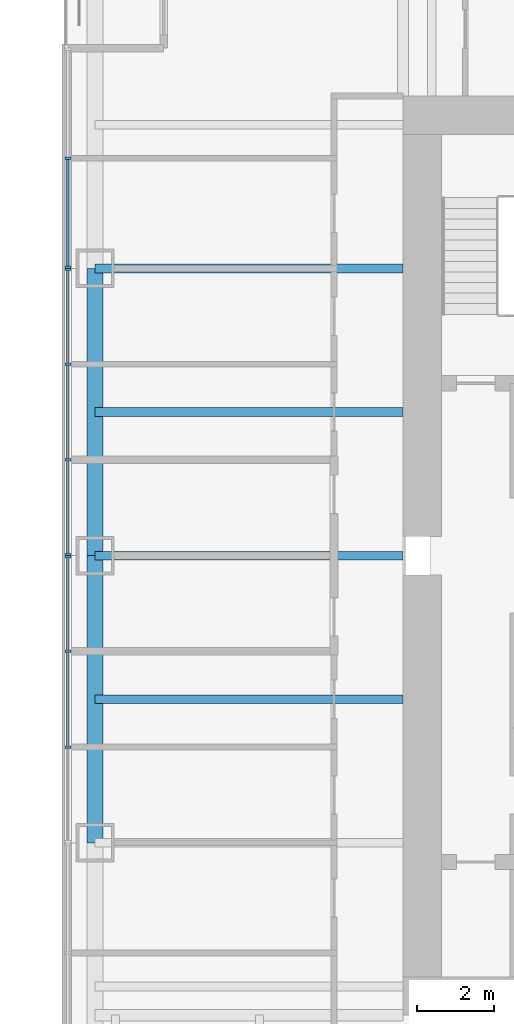
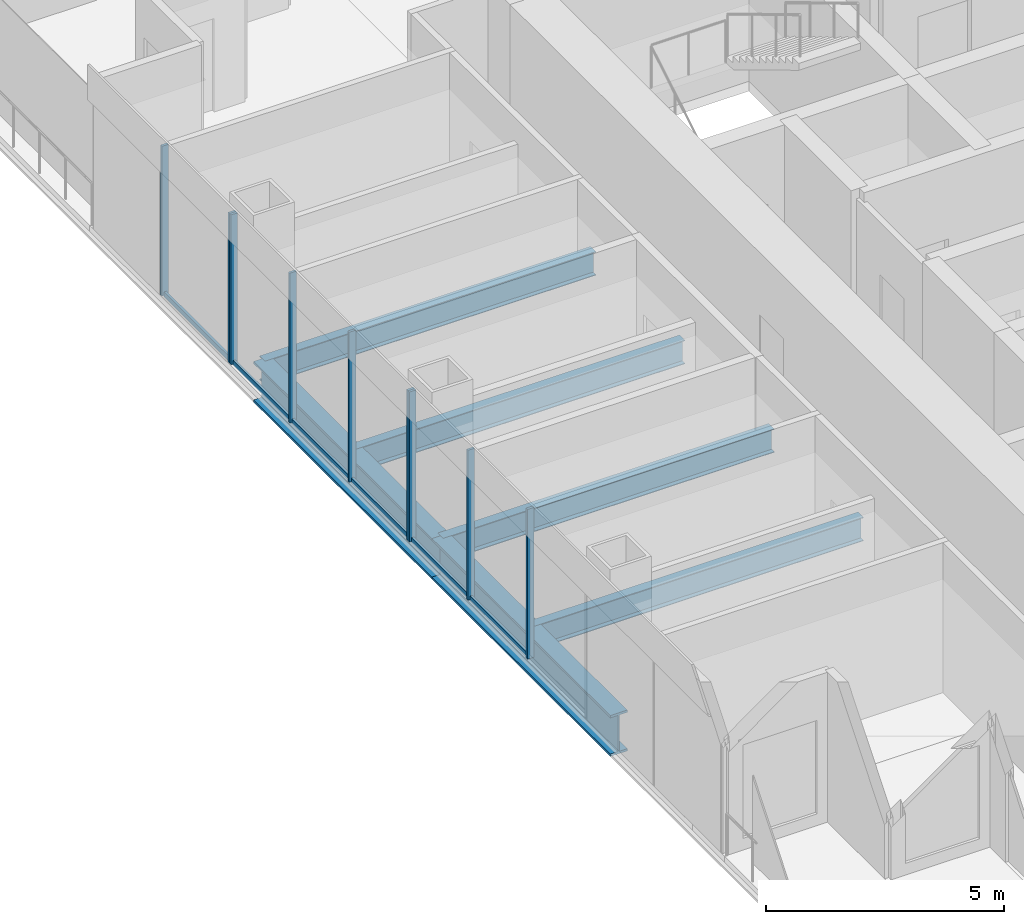
# One storey, part 4 of 14: 15 members, 6 beams, 3 elements without a shape of their own.
"""IFC4 building model written with IfcOpenShell, lengths in metres."""

from ifc_helpers import new_model, si_unit, direction, frame, origin, origin_2d, place, context, subcontext, project, spatial, rectangle, i_section, extrude, material, material_profile, profile_set, type_object, element, aggregate, save


model = new_model("IFC4")

# Units and contexts
model_context = context("Model", 3, precision=1e-05, world=origin(), true_north=direction((0.0, 1.0)))
body_context = subcontext(model_context, "Body", "Model", "MODEL_VIEW")
ifc_project = project(units=[si_unit("LENGTHUNIT", "METRE"), si_unit("AREAUNIT", "SQUARE_METRE"), si_unit("VOLUMEUNIT", "CUBIC_METRE"), si_unit("PLANEANGLEUNIT", "RADIAN"), si_unit("MASSUNIT", "GRAM", prefix="KILO")], contexts=[model_context])

# Site, building, storey
site_placement = place(None, origin())
site = spatial("IfcSite", under=ifc_project, at=site_placement, CompositionType="ELEMENT")
building_placement = place(site_placement, origin())
building = spatial("IfcBuilding", under=site, at=building_placement, Name="Tarangal Relay Tower", CompositionType="ELEMENT")
storey_placement = place(building_placement, frame((0.0, 0.0, 303.89990234375)))
storey = spatial("IfcBuildingStorey", under=building, at=storey_placement, Name="L67", CompositionType="ELEMENT", Elevation=303.89990234375)

# Beams
ifc_material_1 = material(Name="Steel ASTM A992", Category="steel")
ifc_material_profile_1 = material_profile(ifc_material_1, i_section(OverallWidth=0.41162109375, OverallDepth=1.049072265625, WebThickness=0.033935546875, FlangeThickness=0.059814453125, at=origin_2d()), Name="W40X431")
ifc_profile_set_1 = profile_set([ifc_material_profile_1], Name="Steel ASTM A992")
beam_type_1 = type_object("IfcBeamType", Name="Edge girder W40X431", PredefinedType="SPANDREL", material=ifc_profile_set_1)
for number, where, z_axis, x_axis, name in (
    (1, (-20.0400390625, -7.5, -0.67431640625), (0.0, 1.0, 0.0), (-1.0, 0.0, 0.0), "Edge girder EG1 W L67"),
    (2, (-20.0400390625, 0.0, -0.67431640625), (0.0, 1.0, 0.0), (-1.0, 0.0, 0.0), "Edge girder EG1 W L67"),
):
    element("IfcBeam", number, at=place(storey_placement, frame(where, z_axis=z_axis, x_axis=x_axis)), inside=storey, type_object=beam_type_1, Name=name, PredefinedType="SPANDREL", context=body_context, shape_type="SweptSolid", body=[
        extrude(i_section(OverallWidth=0.41162109375, OverallDepth=1.049072265625, WebThickness=0.033935546875, FlangeThickness=0.059814453125, at=origin_2d()), origin(), (0.0, 0.0, 1.0), 7.5),
    ])
ifc_material_profile_2 = material_profile(ifc_material_1, i_section(OverallWidth=0.228271484375, OverallDepth=0.607177734375, WebThickness=0.01123046875, FlangeThickness=0.017333984375, at=origin_2d()), Name="W24X76")
ifc_profile_set_2 = profile_set([ifc_material_profile_2], Name="Steel ASTM A992")
beam_type_2 = type_object("IfcBeamType", Name="Floor beam W24X76", PredefinedType="BEAM", material=ifc_profile_set_2)
for number, where, z_axis, x_axis, name in (
    (3, (-12.0, -3.75, -0.453369140625), (-1.0, 0.0, 0.0), (0.0, -1.0, 0.0), "Floor beam RB5 W L67"),
    (4, (-12.0, 0.0, -0.453369140625), (-1.0, 0.0, 0.0), (0.0, -1.0, 0.0), "Floor beam RB5 W L67"),
    (5, (-12.0, 3.75, -0.453369140625), (-1.0, 0.0, 0.0), (0.0, -1.0, 0.0), "Floor beam RB5 W L67"),
    (6, (-12.0, 7.5, -0.453369140625), (-1.0, 0.0, 0.0), (0.0, -1.0, 0.0), "Floor beam RB5 W L67"),
):
    element("IfcBeam", number, at=place(storey_placement, frame(where, z_axis=z_axis, x_axis=x_axis)), inside=storey, type_object=beam_type_2, Name=name, PredefinedType="BEAM", context=body_context, shape_type="SweptSolid", body=[
        extrude(i_section(OverallWidth=0.228271484375, OverallDepth=0.607177734375, WebThickness=0.01123046875, FlangeThickness=0.017333984375, at=origin_2d()), origin(), (0.0, 0.0, 1.0), 8.0400390625),
    ])

# Curtain wall, members
ifc_material_2 = material(Name="Unitised curtain wall, dark glass and black aluminium", Category="aluminium")
curtain_wall_type_1 = type_object("IfcCurtainWallType", Name="Curtain wall CW-B", PredefinedType="USERDEFINED", material=ifc_material_2)
curtain_wall_1_placement = place(storey_placement, origin())
curtain_wall_1 = element("IfcCurtainWall", 7, at=curtain_wall_1_placement, inside=storey, type_object=curtain_wall_type_1, Name="Curtain wall CW-B W facade L67", ObjectType="UNITISED CURTAIN WALL", PredefinedType="USERDEFINED")
ifc_material_3 = material(Name="Black anodised aluminium mullion", Category="aluminium")
ifc_material_profile_3 = material_profile(ifc_material_3, rectangle(XDim=0.159912109375, YDim=0.06005859375, at=origin_2d()), Name="CW-BM 60X160")
ifc_profile_set_3 = profile_set([ifc_material_profile_3], Name="Black anodised aluminium mullion")
member_type_1 = type_object("IfcMemberType", Name="Mullion CW-B 60 x 160", PredefinedType="MULLION", material=ifc_profile_set_3)
member_1_placement = place(storey_placement, frame((-20.75, -5.0, 0.0), z_axis=(0.0, 0.0, 1.0), x_axis=(-1.0, 0.0, 0.0)))
member_1 = element("IfcMember", 8, at=member_1_placement, type_object=member_type_1, Name="CW-B mullion 2", PredefinedType="MULLION", context=body_context, shape_type="SweptSolid", body=[
    extrude(rectangle(XDim=0.159912109375, YDim=0.06005859375, at=origin_2d()), origin(), (0.0, 0.0, 1.0), 3.85009765625),
])
member_2_placement = place(storey_placement, frame((-20.75, -2.5, 0.0), z_axis=(0.0, 0.0, 1.0), x_axis=(-1.0, 0.0, 0.0)))
member_2 = element("IfcMember", 9, at=member_2_placement, type_object=member_type_1, Name="CW-B mullion 3", PredefinedType="MULLION", context=body_context, shape_type="SweptSolid", body=[
    extrude(rectangle(XDim=0.159912109375, YDim=0.06005859375, at=origin_2d()), origin(), (0.0, 0.0, 1.0), 3.85009765625),
])
member_3_placement = place(storey_placement, frame((-20.75, -0.030029296875, 0.0), z_axis=(0.0, 0.0, 1.0), x_axis=(-1.0, 0.0, 0.0)))
member_3 = element("IfcMember", 10, at=member_3_placement, type_object=member_type_1, Name="CW-B mullion 4", PredefinedType="MULLION", context=body_context, shape_type="SweptSolid", body=[
    extrude(rectangle(XDim=0.159912109375, YDim=0.06005859375, at=origin_2d()), origin(), (0.0, 0.0, 1.0), 3.85009765625),
])

curtain_wall_2_placement = place(storey_placement, origin())
curtain_wall_2 = element("IfcCurtainWall", 11, at=curtain_wall_2_placement, inside=storey, type_object=curtain_wall_type_1, Name="Curtain wall CW-B W facade L67", ObjectType="UNITISED CURTAIN WALL", PredefinedType="USERDEFINED")
member_4_placement = place(storey_placement, frame((-20.75, 0.030029296875, 0.0), z_axis=(0.0, 0.0, 1.0), x_axis=(-1.0, 0.0, 0.0)))
member_4 = element("IfcMember", 12, at=member_4_placement, type_object=member_type_1, Name="CW-B mullion 1", PredefinedType="MULLION", context=body_context, shape_type="SweptSolid", body=[
    extrude(rectangle(XDim=0.159912109375, YDim=0.06005859375, at=origin_2d()), origin(), (0.0, 0.0, 1.0), 3.85009765625),
])
member_5_placement = place(storey_placement, frame((-20.75, 2.5, 0.0), z_axis=(0.0, 0.0, 1.0), x_axis=(-1.0, 0.0, 0.0)))
member_5 = element("IfcMember", 13, at=member_5_placement, type_object=member_type_1, Name="CW-B mullion 2", PredefinedType="MULLION", context=body_context, shape_type="SweptSolid", body=[
    extrude(rectangle(XDim=0.159912109375, YDim=0.06005859375, at=origin_2d()), origin(), (0.0, 0.0, 1.0), 3.85009765625),
])
member_6_placement = place(storey_placement, frame((-20.75, 5.0, 0.0), z_axis=(0.0, 0.0, 1.0), x_axis=(-1.0, 0.0, 0.0)))
member_6 = element("IfcMember", 14, at=member_6_placement, type_object=member_type_1, Name="CW-B mullion 3", PredefinedType="MULLION", context=body_context, shape_type="SweptSolid", body=[
    extrude(rectangle(XDim=0.159912109375, YDim=0.06005859375, at=origin_2d()), origin(), (0.0, 0.0, 1.0), 3.85009765625),
])
member_7_placement = place(storey_placement, frame((-20.75, 7.469970703125, 0.0), z_axis=(0.0, 0.0, 1.0), x_axis=(-1.0, 0.0, 0.0)))
member_7 = element("IfcMember", 15, at=member_7_placement, type_object=member_type_1, Name="CW-B mullion 4", PredefinedType="MULLION", context=body_context, shape_type="SweptSolid", body=[
    extrude(rectangle(XDim=0.159912109375, YDim=0.06005859375, at=origin_2d()), origin(), (0.0, 0.0, 1.0), 3.85009765625),
])

ifc_material_4 = material(Name="Unitised curtain wall frame, black aluminium, with metal clad infill walls", Category="aluminium")
curtain_wall_type_2 = type_object("IfcCurtainWallType", Name="Curtain wall CW-BO", PredefinedType="USERDEFINED", material=ifc_material_4)
curtain_wall_3_placement = place(storey_placement, origin())
curtain_wall_3 = element("IfcCurtainWall", 16, at=curtain_wall_3_placement, inside=storey, type_object=curtain_wall_type_2, Name="Curtain wall CW-BO W facade L67", ObjectType="UNITISED CURTAIN WALL", PredefinedType="USERDEFINED")
ifc_material_profile_4 = material_profile(ifc_material_3, rectangle(XDim=0.159912109375, YDim=0.06005859375, at=origin_2d()), Name="CW-BOM 60X160")
ifc_profile_set_4 = profile_set([ifc_material_profile_4], Name="Black anodised aluminium mullion")
member_type_2 = type_object("IfcMemberType", Name="Mullion CW-BO 60 x 160", PredefinedType="MULLION", material=ifc_profile_set_4)
member_8_placement = place(storey_placement, frame((-20.75, 7.530029296875, 0.0), z_axis=(0.0, 0.0, 1.0), x_axis=(-1.0, 0.0, 0.0)))
member_8 = element("IfcMember", 17, at=member_8_placement, type_object=member_type_2, Name="CW-BO mullion 1", PredefinedType="MULLION", context=body_context, shape_type="SweptSolid", body=[
    extrude(rectangle(XDim=0.159912109375, YDim=0.06005859375, at=origin_2d()), origin(), (0.0, 0.0, 1.0), 3.85009765625),
])
member_9_placement = place(storey_placement, frame((-20.75, 10.375, 0.0), z_axis=(0.0, 0.0, 1.0), x_axis=(-1.0, 0.0, 0.0)))
member_9 = element("IfcMember", 18, at=member_9_placement, type_object=member_type_2, Name="CW-BO mullion 2", PredefinedType="MULLION", context=body_context, shape_type="SweptSolid", body=[
    extrude(rectangle(XDim=0.159912109375, YDim=0.06005859375, at=origin_2d()), origin(), (0.0, 0.0, 1.0), 3.85009765625),
])

# Member
ifc_material_5 = material(Name="Black anodised aluminium transom", Category="aluminium")
ifc_material_profile_5 = material_profile(ifc_material_5, rectangle(XDim=0.06005859375, YDim=0.1298828125, at=origin_2d()), Name="CW-BT 60X130")
ifc_profile_set_5 = profile_set([ifc_material_profile_5], Name="Black anodised aluminium transom")
member_type_3 = type_object("IfcMemberType", Name="Transom CW-B 60 x 130", PredefinedType="USERDEFINED", material=ifc_profile_set_5)
member_10_placement = place(storey_placement, frame((-20.75, -4.969970703125, 0.030029296875), z_axis=(0.0, 1.0, 0.0), x_axis=(-1.0, 0.0, 0.0)))
member_10 = element("IfcMember", 19, at=member_10_placement, type_object=member_type_3, Name="CW-B transom 2.1", ObjectType="TRANSOM", PredefinedType="USERDEFINED", context=body_context, shape_type="SweptSolid", body=[
    extrude(rectangle(XDim=0.06005859375, YDim=0.1298828125, at=origin_2d()), origin(), (0.0, 0.0, 1.0), 2.43994140625),
])

member_11_placement = place(storey_placement, frame((-20.75, -2.469970703125, 0.030029296875), z_axis=(0.0, 1.0, 0.0), x_axis=(-1.0, 0.0, 0.0)))
member_11 = element("IfcMember", 20, at=member_11_placement, type_object=member_type_3, Name="CW-B transom 3.1", ObjectType="TRANSOM", PredefinedType="USERDEFINED", context=body_context, shape_type="SweptSolid", body=[
    extrude(rectangle(XDim=0.06005859375, YDim=0.1298828125, at=origin_2d()), origin(), (0.0, 0.0, 1.0), 2.409912109375),
])

aggregate(curtain_wall_1, [member_1, member_2, member_3, member_10, member_11])

member_12_placement = place(storey_placement, frame((-20.75, 0.06005859375, 0.030029296875), z_axis=(0.0, 1.0, 0.0), x_axis=(-1.0, 0.0, 0.0)))
member_12 = element("IfcMember", 21, at=member_12_placement, type_object=member_type_3, Name="CW-B transom 1.1", ObjectType="TRANSOM", PredefinedType="USERDEFINED", context=body_context, shape_type="SweptSolid", body=[
    extrude(rectangle(XDim=0.06005859375, YDim=0.1298828125, at=origin_2d()), origin(), (0.0, 0.0, 1.0), 2.409912109375),
])

member_13_placement = place(storey_placement, frame((-20.75, 2.530029296875, 0.030029296875), z_axis=(0.0, 1.0, 0.0), x_axis=(-1.0, 0.0, 0.0)))
member_13 = element("IfcMember", 22, at=member_13_placement, type_object=member_type_3, Name="CW-B transom 2.1", ObjectType="TRANSOM", PredefinedType="USERDEFINED", context=body_context, shape_type="SweptSolid", body=[
    extrude(rectangle(XDim=0.06005859375, YDim=0.1298828125, at=origin_2d()), origin(), (0.0, 0.0, 1.0), 2.43994140625),
])

member_14_placement = place(storey_placement, frame((-20.75, 5.030029296875, 0.030029296875), z_axis=(0.0, 1.0, 0.0), x_axis=(-1.0, 0.0, 0.0)))
member_14 = element("IfcMember", 23, at=member_14_placement, type_object=member_type_3, Name="CW-B transom 3.1", ObjectType="TRANSOM", PredefinedType="USERDEFINED", context=body_context, shape_type="SweptSolid", body=[
    extrude(rectangle(XDim=0.06005859375, YDim=0.1298828125, at=origin_2d()), origin(), (0.0, 0.0, 1.0), 2.409912109375),
])

aggregate(curtain_wall_2, [member_4, member_5, member_6, member_7, member_12, member_13, member_14])

ifc_material_profile_6 = material_profile(ifc_material_5, rectangle(XDim=0.06005859375, YDim=0.1298828125, at=origin_2d()), Name="CW-BOT 60X130")
ifc_profile_set_6 = profile_set([ifc_material_profile_6], Name="Black anodised aluminium transom")
member_type_4 = type_object("IfcMemberType", Name="Transom CW-BO 60 x 130", PredefinedType="USERDEFINED", material=ifc_profile_set_6)
member_15_placement = place(storey_placement, frame((-20.75, 7.56005859375, 0.030029296875), z_axis=(0.0, 1.0, 0.0), x_axis=(-1.0, 0.0, 0.0)))
member_15 = element("IfcMember", 24, at=member_15_placement, type_object=member_type_4, Name="CW-BO transom 1.1", ObjectType="TRANSOM", PredefinedType="USERDEFINED", context=body_context, shape_type="SweptSolid", body=[
    extrude(rectangle(XDim=0.06005859375, YDim=0.1298828125, at=origin_2d()), origin(), (0.0, 0.0, 1.0), 2.784912109375),
])

aggregate(curtain_wall_3, [member_8, member_9, member_15])

save(model, "model.ifc")
